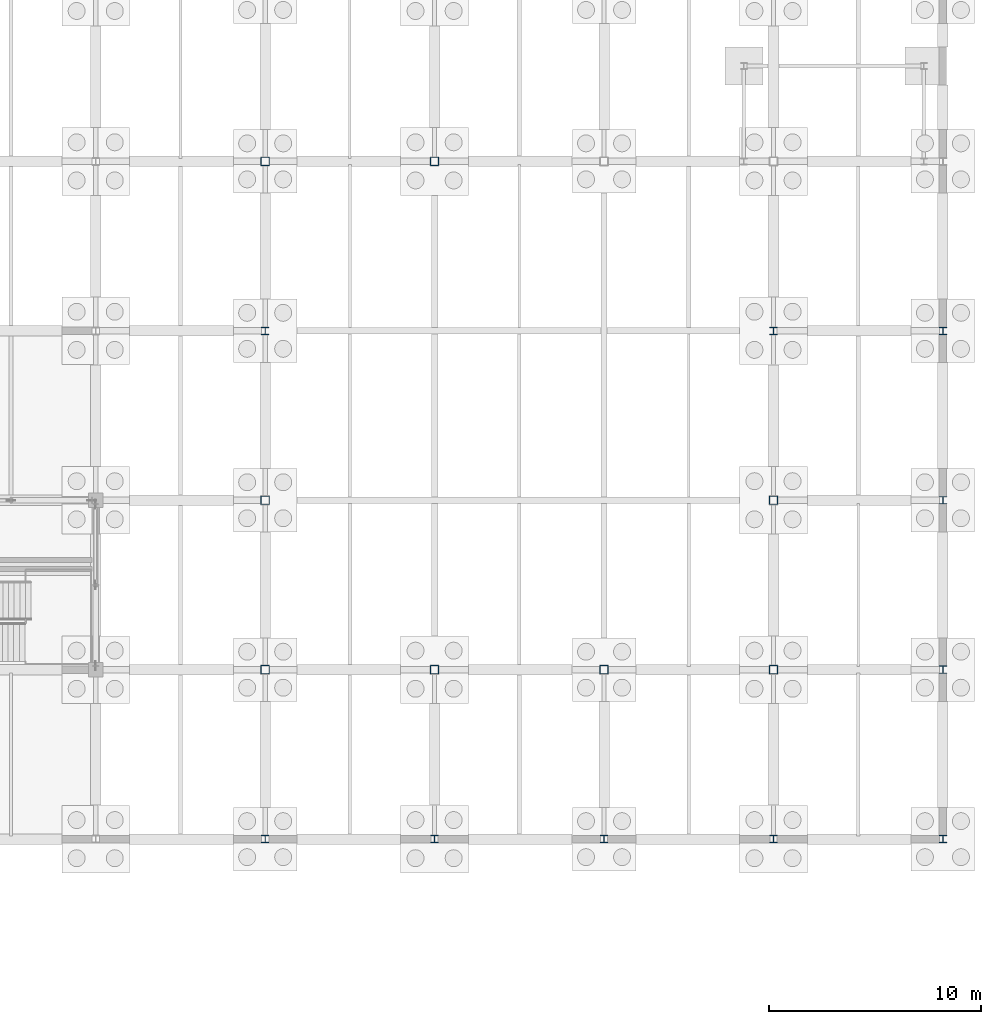
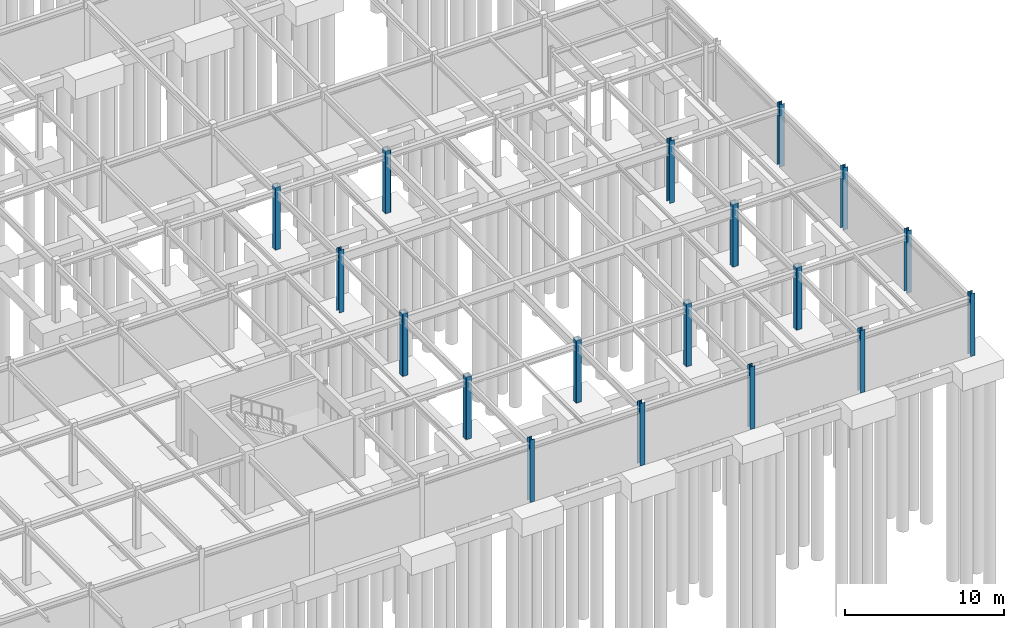
# One storey, part 28 of 72: 18 columns.
"""IFC4 building model written with IfcOpenShell, lengths in metres."""

import ifcopenshell
import ifcopenshell.guid

model = None  # the IFC model being written
_history = None  # IfcOwnerHistory: only IFC2X3 demands one
_inside = {}  # id of a spatial element -> (the spatial element, [elements in it])
_under = {}  # id of a project, library or spatial element -> (it, [spatial elements below it])
_declared = {}  # id of a project -> (the project, [libraries it declares])
_typed = {}  # id of a type object -> (the type object, [elements of that type])
_made_of = {}  # id of a material, layer set ... -> (it, [elements and type objects made of it])


def new_model(schema):
    """Start an empty IFC model of exactly this schema.

    Asked for "IFC4X3", IfcOpenShell would pick the latest addendum, in which some entities
    have other attributes; the version numbers below select the first issue.
    IFC2X3 requires an IfcOwnerHistory on every rooted entity: one is made here for all.
    """
    global model, _history
    if schema == "IFC4X3":
        model = ifcopenshell.file(schema_version=(4, 3, 0, 0))
    else:
        model = ifcopenshell.file(schema=schema)
    _inside.clear()
    _under.clear()
    _declared.clear()
    _typed.clear()
    _made_of.clear()
    _history = None
    if model.schema == "IFC2X3":
        org = make("IfcOrganization", Name="unknown")
        user = make(
            "IfcPersonAndOrganization",
            ThePerson=make("IfcPerson", FamilyName="unknown"),
            TheOrganization=org,
        )
        app = make(
            "IfcApplication",
            ApplicationDeveloper=org,
            Version="unknown",
            ApplicationFullName="unknown",
            ApplicationIdentifier="unknown",
        )
        _history = make(
            "IfcOwnerHistory",
            OwningUser=user,
            OwningApplication=app,
            ChangeAction="ADDED",
            CreationDate=0,
        )
    return model


def make(cls, **values):
    """One entity of the class cls with the attributes given. An attribute that is None is left unset."""
    return model.create_entity(
        cls, **{name: value for name, value in values.items() if value is not None}
    )


def rooted(cls, **values):
    """An entity with a GlobalId (a new one), such as an element, a storey or a relation."""
    return make(cls, GlobalId=ifcopenshell.guid.new(), OwnerHistory=_history, **values)


def si_unit(unit_type, name, prefix=None):
    """IfcSIUnit, for example si_unit("LENGTHUNIT", "METRE", prefix="MILLI")."""
    return make("IfcSIUnit", UnitType=unit_type, Prefix=prefix, Name=name)


def assignment(units):
    """IfcUnitAssignment: the units of a project."""
    return None if units is None else make("IfcUnitAssignment", Units=units)


def point(xyz):
    """IfcCartesianPoint."""
    return None if xyz is None else make("IfcCartesianPoint", Coordinates=xyz)


def direction(xyz):
    """IfcDirection."""
    return None if xyz is None else make("IfcDirection", DirectionRatios=xyz)


def frame(location, z_axis=None, x_axis=None):
    """IfcAxis2Placement3D, a coordinate frame: its origin and axes. An axis left out is left unset."""
    return make(
        "IfcAxis2Placement3D",
        Location=point(location),
        Axis=direction(z_axis),
        RefDirection=direction(x_axis),
    )


def frame_2d(location, x_axis=None):
    """IfcAxis2Placement2D, a coordinate frame in the plane: its origin and x axis."""
    return make(
        "IfcAxis2Placement2D", Location=point(location), RefDirection=direction(x_axis)
    )


def origin():
    """The frame at (0, 0, 0) with its axes left unset."""
    return frame((0.0, 0.0, 0.0))


def origin_2d():
    """The frame at (0, 0) in the plane with its x axis left unset."""
    return frame_2d((0.0, 0.0))


def place(relative_to, where):
    """IfcLocalPlacement: puts the frame where relative to a parent placement (None: the world)."""
    return make(
        "IfcLocalPlacement", PlacementRelTo=relative_to, RelativePlacement=where
    )


def context(
    kind, dimensions, precision=None, world=None, true_north=None, identifier=None
):
    """IfcGeometricRepresentationContext, for example the 3D "Model" context."""
    return make(
        "IfcGeometricRepresentationContext",
        ContextIdentifier=identifier,
        ContextType=kind,
        CoordinateSpaceDimension=dimensions,
        Precision=precision,
        WorldCoordinateSystem=world,
        TrueNorth=true_north,
    )


def subcontext(parent, identifier, kind, view, scale=None):
    """IfcGeometricRepresentationSubContext, for example "Body" below "Model"."""
    return make(
        "IfcGeometricRepresentationSubContext",
        ContextIdentifier=identifier,
        ContextType=kind,
        ParentContext=parent,
        TargetScale=scale,
        TargetView=view,
    )


def project(units=None, contexts=None):
    """IfcProject with its units and contexts."""
    return rooted(
        "IfcProject",
        Name="project",
        RepresentationContexts=contexts,
        UnitsInContext=assignment(units),
    )


def spatial(cls, under=None, at=None, **own):
    """A site, building, storey or space (cls), placed at a placement, below another one or the project."""
    s = rooted(cls, ObjectPlacement=at, **own)
    if under is not None:
        _under.setdefault(under.id(), (under, []))[1].append(s)
    return s


def profile(cls, at=None, kind="AREA", **sizes):
    """A parametric profile (cls). Its sizes go by their IFC names, for example OverallWidth=200.0."""
    return make(cls, ProfileType=kind, Position=at, **sizes)


def hollow_rectangle(**sizes):
    """IfcRectangleHollowProfileDef."""
    return profile("IfcRectangleHollowProfileDef", **sizes)


def i_section(**sizes):
    """IfcIShapeProfileDef."""
    return profile("IfcIShapeProfileDef", **sizes)


def extrude(swept, where, along, depth):
    """IfcExtrudedAreaSolid: the profile swept, set in the frame where, extruded along a direction by depth."""
    return make(
        "IfcExtrudedAreaSolid",
        SweptArea=swept,
        Position=where,
        ExtrudedDirection=direction(along),
        Depth=depth,
    )


def shape(context_of_items, identifier, shape_type, items):
    """IfcShapeRepresentation: the items that make up one representation, for example the "Body"."""
    return make(
        "IfcShapeRepresentation",
        ContextOfItems=context_of_items,
        RepresentationIdentifier=identifier,
        RepresentationType=shape_type,
        Items=items,
    )


def material(Name=None, Category=None):
    """IfcMaterial."""
    return make("IfcMaterial", Name=Name, Category=Category)


def material_profile(
    of_material, cross_section, Name=None, Category=None, Priority=None
):
    """IfcMaterialProfile: a cross section and its material."""
    return make(
        "IfcMaterialProfile",
        Name=Name,
        Material=of_material,
        Profile=cross_section,
        Priority=Priority,
        Category=Category,
    )


def profile_set(profiles, Name=None, composite=None):
    """IfcMaterialProfileSet."""
    return make(
        "IfcMaterialProfileSet",
        Name=Name,
        MaterialProfiles=profiles,
        CompositeProfile=composite,
    )


def made_of(thing, what):
    """Note that an element or type object is made of a material, layer set ...; save() writes the relation."""
    if what is not None:
        _made_of.setdefault(what.id(), (what, []))[1].append(thing)
    return thing


def type_object(cls, material=None, **own):
    """A type object (cls), such as IfcWallType, which elements share."""
    return made_of(rooted(cls, **own), material)


def element(
    cls,
    number,
    at=None,
    inside=None,
    cuts=None,
    type_object=None,
    material=None,
    context=None,
    identifier="Body",
    shape_type=None,
    held_by="IfcProductDefinitionShape",
    body=None,
    shapes=None,
    **own,
):
    """One element of the class cls, such as IfcWall. Its Tag is "e" and its number.

    at: its placement. inside: the storey or other place that contains it. cuts: it is an
    opening in that element (IfcRelVoidsElement). A single representation is given by context,
    identifier, shape_type and body (its items); several are given by shapes. held_by: the class
    of the entity that holds the representations. save() writes the other relations.
    """
    e = rooted(cls, Tag="e%d" % number, ObjectPlacement=at, **own)
    if body is not None:
        shapes = [shape(context, identifier, shape_type, body)]
    if shapes is not None:
        e.Representation = make(held_by, Representations=shapes)
    if inside is not None:
        _inside.setdefault(inside.id(), (inside, []))[1].append(e)
    if cuts is not None:
        rooted(
            "IfcRelVoidsElement", RelatingBuildingElement=cuts, RelatedOpeningElement=e
        )
    if type_object is not None:
        _typed.setdefault(type_object.id(), (type_object, []))[1].append(e)
    return made_of(e, material)


def aggregate(whole, parts):
    """IfcRelAggregates: a whole, such as a stair, and the parts it consists of."""
    return rooted("IfcRelAggregates", RelatingObject=whole, RelatedObjects=parts)


def save(model, path):
    """Write the relations noted so far, then the file.

    IfcRelAggregates (storeys below a building ...), IfcRelContainedInSpatialStructure (elements
    in a storey), IfcRelDefinesByType, IfcRelAssociatesMaterial and IfcRelDeclares: one each for
    every whole, place, type object, material and project.
    """
    for whole, parts in _under.values():
        aggregate(whole, parts)
    for where, things in _inside.values():
        rooted(
            "IfcRelContainedInSpatialStructure",
            RelatedElements=things,
            RelatingStructure=where,
        )
    for kind, things in _typed.values():
        rooted("IfcRelDefinesByType", RelatedObjects=things, RelatingType=kind)
    for what, things in _made_of.values():
        rooted("IfcRelAssociatesMaterial", RelatedObjects=things, RelatingMaterial=what)
    for by, libraries in _declared.values():
        rooted("IfcRelDeclares", RelatingContext=by, RelatedDefinitions=libraries)
    model.write(path)


model = new_model("IFC4")

# Units and contexts
model_context = context("Model", 3, precision=1e-05, world=origin(), true_north=direction((0.0, 1.0)))
body_context = subcontext(model_context, "Body", "Model", "MODEL_VIEW")
ifc_project = project(units=[si_unit("LENGTHUNIT", "METRE"), si_unit("AREAUNIT", "SQUARE_METRE"), si_unit("VOLUMEUNIT", "CUBIC_METRE"), si_unit("PLANEANGLEUNIT", "RADIAN"), si_unit("MASSUNIT", "GRAM", prefix="KILO")], contexts=[model_context])

# Site, building, storey
site_placement = place(None, origin())
site = spatial("IfcSite", under=ifc_project, at=site_placement, CompositionType="ELEMENT")
building_placement = place(site_placement, origin())
building = spatial("IfcBuilding", under=site, at=building_placement, Name="Zhaolan Boulevard Law Courts", CompositionType="ELEMENT")
storey_placement = place(building_placement, frame((0.0, 0.0, -4.800048828125)))
storey = spatial("IfcBuildingStorey", under=building, at=storey_placement, Name="B1", CompositionType="ELEMENT", Elevation=-4.800048828125)

# Columns
ifc_material_1 = material(Name="Structural steel Q355B", Category="steel")
ifc_material_profile_1 = material_profile(ifc_material_1, hollow_rectangle(XDim=0.39990234375, YDim=0.39990234375, WallThickness=0.01611328125, InnerFilletRadius=0.01611328125, OuterFilletRadius=0.031982421875, at=origin_2d()), Name="BOX400x400x16")
ifc_profile_set_1 = profile_set([ifc_material_profile_1], Name="Structural steel Q355B")
column_type_1 = type_object("IfcColumnType", Name="COL BOX400", PredefinedType="COLUMN", material=ifc_profile_set_1)
for number, where, z_axis, x_axis, name in (
    (1, (132.0, 14.0, 0.0), (0.0, 0.0, 1.0), (1.0, 0.0, 0.0), "Column C-17C (B1)"),
    (2, (132.0, 22.0, 0.0), (0.0, 0.0, 1.0), (1.0, 0.0, 0.0), "Column C-17D (B1)"),
    (3, (132.0, 38.0, 0.0), (0.0, 0.0, 1.0), (1.0, 0.0, 0.0), "Column C-17F (B1)"),
    (4, (140.0, 14.0, 0.0), (0.0, 0.0, 1.0), (1.0, 0.0, 0.0), "Column C-18C (B1)"),
    (5, (140.0, 38.0, 0.0), (0.0, 0.0, 1.0), (1.0, 0.0, 0.0), "Column C-18F (B1)"),
    (6, (148.0, 14.0, 0.0), (0.0, 0.0, 1.0), (1.0, 0.0, 0.0), "Column C-19C (B1)"),
    (7, (156.0, 14.0, 0.0), (0.0, 0.0, 1.0), (1.0, 0.0, 0.0), "Column C-20C (B1)"),
    (8, (156.0, 22.0, 0.0), (0.0, 0.0, 1.0), (1.0, 0.0, 0.0), "Column C-20D (B1)"),
):
    element("IfcColumn", number, at=place(storey_placement, frame(where, z_axis=z_axis, x_axis=x_axis)), inside=storey, type_object=column_type_1, Name=name, PredefinedType="COLUMN", context=body_context, shape_type="SweptSolid", body=[
        extrude(hollow_rectangle(XDim=0.39990234375, YDim=0.39990234375, WallThickness=0.01611328125, InnerFilletRadius=0.01611328125, OuterFilletRadius=0.031982421875, at=origin_2d()), origin(), (0.0, 0.0, 1.0), 4.800048828125),
    ])
ifc_material_2 = material(Name="Structural steel Q355B", Category="steel")
ifc_material_profile_2 = material_profile(ifc_material_2, i_section(OverallWidth=0.35009765625, OverallDepth=0.35009765625, WebThickness=0.011962890625, FlangeThickness=0.01904296875, FilletRadius=0.02001953125, at=origin_2d()), Name="HW350x350")
ifc_profile_set_2 = profile_set([ifc_material_profile_2], Name="Structural steel Q355B")
column_type_2 = type_object("IfcColumnType", Name="COL HW350", PredefinedType="COLUMN", material=ifc_profile_set_2)
for number, where, z_axis, x_axis, name in (
    (9, (132.0, 6.0, 0.0), (0.0, 0.0, 1.0), (1.0, 0.0, 0.0), "Column C-17B (B1)"),
    (10, (132.0, 30.0, 0.0), (0.0, 0.0, 1.0), (1.0, 0.0, 0.0), "Column C-17E (B1)"),
    (11, (140.0, 6.0, 0.0), (0.0, 0.0, 1.0), (1.0, 0.0, 0.0), "Column C-18B (B1)"),
    (12, (148.0, 6.0, 0.0), (0.0, 0.0, 1.0), (1.0, 0.0, 0.0), "Column C-19B (B1)"),
    (13, (156.0, 6.0, 0.0), (0.0, 0.0, 1.0), (1.0, 0.0, 0.0), "Column C-20B (B1)"),
    (14, (156.0, 30.0, 0.0), (0.0, 0.0, 1.0), (1.0, 0.0, 0.0), "Column C-20E (B1)"),
    (15, (164.0, 6.0, 0.0), (0.0, 0.0, 1.0), (1.0, 0.0, 0.0), "Column C-21B (B1)"),
    (16, (164.0, 14.0, 0.0), (0.0, 0.0, 1.0), (1.0, 0.0, 0.0), "Column C-21C (B1)"),
    (17, (164.0, 22.0, 0.0), (0.0, 0.0, 1.0), (1.0, 0.0, 0.0), "Column C-21D (B1)"),
    (18, (164.0, 30.0, 0.0), (0.0, 0.0, 1.0), (1.0, 0.0, 0.0), "Column C-21E (B1)"),
):
    element("IfcColumn", number, at=place(storey_placement, frame(where, z_axis=z_axis, x_axis=x_axis)), inside=storey, type_object=column_type_2, Name=name, PredefinedType="COLUMN", context=body_context, shape_type="SweptSolid", body=[
        extrude(i_section(OverallWidth=0.35009765625, OverallDepth=0.35009765625, WebThickness=0.011962890625, FlangeThickness=0.01904296875, FilletRadius=0.02001953125, at=origin_2d()), origin(), (0.0, 0.0, 1.0), 4.800048828125),
    ])

save(model, "model.ifc")
